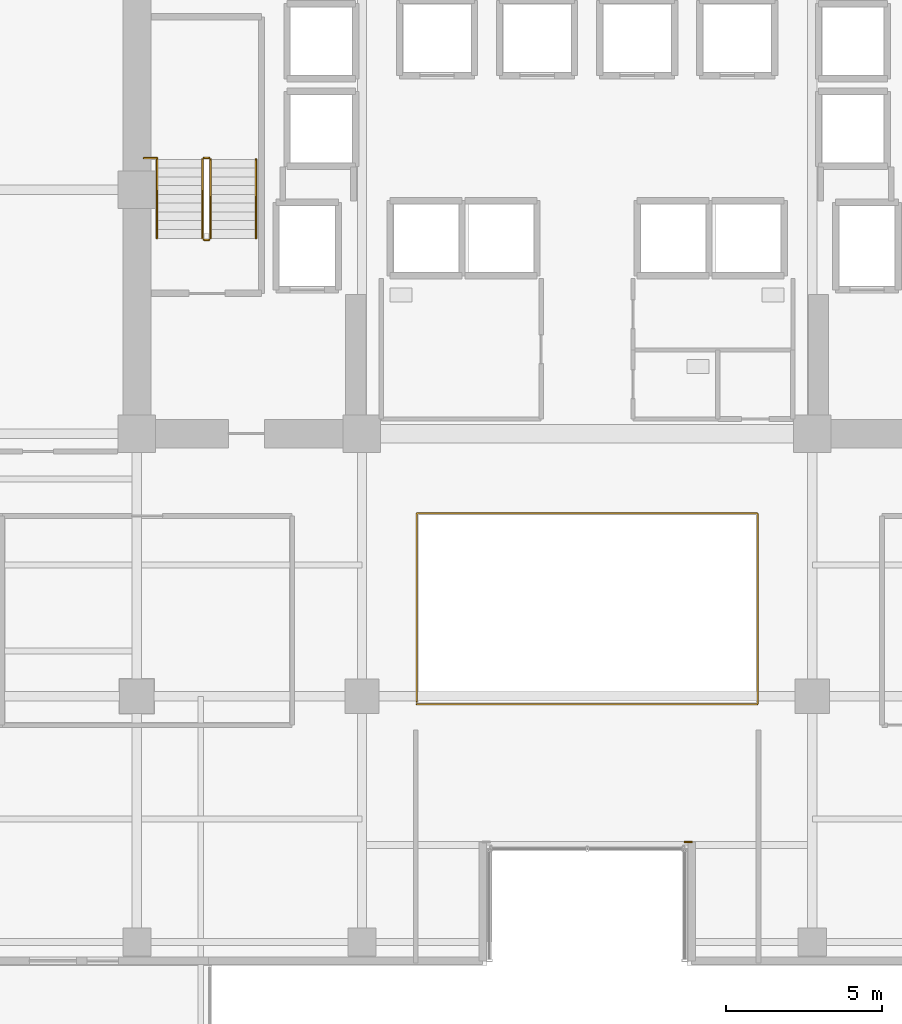
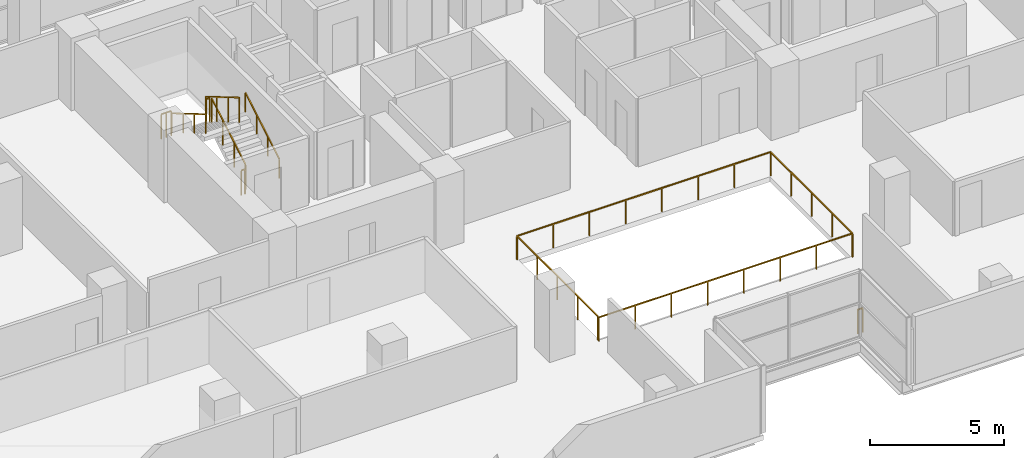
# One storey, part 28 of 30: 9 railings.
"""IFC4 building model written with IfcOpenShell, lengths in metres."""

from ifc_helpers import new_model, si_unit, direction, frame, origin, origin_2d, place, context, subcontext, project, spatial, rectangle, extrude, material, type_object, element, save


model = new_model("IFC4")

# Units and contexts
model_context = context("Model", 3, precision=1e-05, world=origin(), true_north=direction((0.0, 1.0)))
body_context = subcontext(model_context, "Body", "Model", "MODEL_VIEW")
ifc_project = project(units=[si_unit("LENGTHUNIT", "METRE"), si_unit("AREAUNIT", "SQUARE_METRE"), si_unit("VOLUMEUNIT", "CUBIC_METRE"), si_unit("PLANEANGLEUNIT", "RADIAN"), si_unit("MASSUNIT", "GRAM", prefix="KILO")], contexts=[model_context])

# Site, building, storey
site_placement = place(None, origin())
site = spatial("IfcSite", under=ifc_project, at=site_placement, CompositionType="ELEMENT")
building_placement = place(site_placement, origin())
building = spatial("IfcBuilding", under=site, at=building_placement, Name="Zarnakvel Exchange Tower", CompositionType="ELEMENT")
storey_placement = place(building_placement, frame((0.0, 0.0, 34.0)))
storey = spatial("IfcBuildingStorey", under=building, at=storey_placement, Name="L08", CompositionType="ELEMENT", Elevation=34.0)

# Railings
ifc_material_1 = material(Name="Architectural Bronze Anodised Aluminium", Category="aluminium")
railing_type_1 = type_object("IfcRailingType", Name="GR-02", PredefinedType="GUARDRAIL", material=ifc_material_1)
railing_1_placement = place(storey_placement, frame((3.340087890625, -14.260009765625, 0.0)))
element("IfcRailing", 1, at=railing_1_placement, inside=storey, type_object=railing_type_1, Name="L08 Corner Spandrel Balustrade #18", PredefinedType="GUARDRAIL", context=body_context, shape_type="SweptSolid", body=[
    extrude(rectangle(XDim=0.048095703125, YDim=0.048095703125, at=origin_2d()), frame((0.0, 0.0, 1.09619140625), z_axis=(-1.0, 0.0, 0.0), x_axis=(0.0, -1.0, 0.0)), (0.0, 0.0, 1.0), 0.219970703125),
    extrude(rectangle(XDim=0.0419921875, YDim=0.0419921875, at=origin_2d()), origin(), (0.0, 0.0, 1.0), 1.072021484375),
    extrude(rectangle(XDim=0.0419921875, YDim=0.0419921875, at=origin_2d()), frame((-0.219970703125, 0.0, 0.0)), (0.0, 0.0, 1.0), 1.072021484375),
])
railing_type_2 = type_object("IfcRailingType", Name="GR-03", PredefinedType="GUARDRAIL", material=ifc_material_1)
railing_2_placement = place(storey_placement, frame((-5.449951171875, -9.85009765625, 0.0)))
element("IfcRailing", 2, at=railing_2_placement, inside=storey, type_object=railing_type_2, Name="L08 Atrium Void Perimeter Balustrade", PredefinedType="GUARDRAIL", context=body_context, shape_type="SweptSolid", body=[
    extrude(rectangle(XDim=0.048095703125, YDim=0.048095703125, at=origin_2d()), frame((0.0, 0.0, 1.076171875), z_axis=(1.0, 0.0, 0.0), x_axis=(0.0, 1.0, 0.0)), (0.0, 0.0, 1.0), 10.89990234375),
    extrude(rectangle(XDim=0.048095703125, YDim=0.048095703125, at=origin_2d()), frame((10.89990234375, 0.0, 1.076171875), z_axis=(0.0, 1.0, 0.0), x_axis=(-1.0, 0.0, 0.0)), (0.0, 0.0, 1.0), 6.10009765625),
    extrude(rectangle(XDim=0.048095703125, YDim=0.048095703125, at=origin_2d()), frame((10.89990234375, 6.10009765625, 1.076171875), z_axis=(-1.0, 0.0, 0.0), x_axis=(0.0, -1.0, 0.0)), (0.0, 0.0, 1.0), 10.89990234375),
    extrude(rectangle(XDim=0.048095703125, YDim=0.048095703125, at=origin_2d()), frame((0.0, 6.10009765625, 1.076171875), z_axis=(0.0, -1.0, 0.0), x_axis=(1.0, 0.0, 0.0)), (0.0, 0.0, 1.0), 6.02001953125),
    extrude(rectangle(XDim=0.0419921875, YDim=0.0419921875, at=origin_2d()), origin(), (0.0, 0.0, 1.0), 1.052001953125),
    extrude(rectangle(XDim=0.0419921875, YDim=0.0419921875, at=origin_2d()), frame((1.55712890625, 0.0, 0.0)), (0.0, 0.0, 1.0), 1.052001953125),
    extrude(rectangle(XDim=0.0419921875, YDim=0.0419921875, at=origin_2d()), frame((3.1142578125, 0.0, 0.0)), (0.0, 0.0, 1.0), 1.052001953125),
    extrude(rectangle(XDim=0.0419921875, YDim=0.0419921875, at=origin_2d()), frame((4.67138671875, 0.0, 0.0)), (0.0, 0.0, 1.0), 1.052001953125),
    extrude(rectangle(XDim=0.0419921875, YDim=0.0419921875, at=origin_2d()), frame((6.228515625, 0.0, 0.0)), (0.0, 0.0, 1.0), 1.052001953125),
    extrude(rectangle(XDim=0.0419921875, YDim=0.0419921875, at=origin_2d()), frame((7.78564453125, 0.0, 0.0)), (0.0, 0.0, 1.0), 1.052001953125),
    extrude(rectangle(XDim=0.0419921875, YDim=0.0419921875, at=origin_2d()), frame((9.3427734375, 0.0, 0.0)), (0.0, 0.0, 1.0), 1.052001953125),
    extrude(rectangle(XDim=0.0419921875, YDim=0.0419921875, at=origin_2d()), frame((10.89990234375, 0.0, 0.0)), (0.0, 0.0, 1.0), 1.052001953125),
    extrude(rectangle(XDim=0.0419921875, YDim=0.0419921875, at=origin_2d()), frame((10.89990234375, 1.52490234375, 0.0)), (0.0, 0.0, 1.0), 1.052001953125),
    extrude(rectangle(XDim=0.0419921875, YDim=0.0419921875, at=origin_2d()), frame((10.89990234375, 3.050048828125, 0.0)), (0.0, 0.0, 1.0), 1.052001953125),
    extrude(rectangle(XDim=0.0419921875, YDim=0.0419921875, at=origin_2d()), frame((10.89990234375, 4.5751953125, 0.0)), (0.0, 0.0, 1.0), 1.052001953125),
    extrude(rectangle(XDim=0.0419921875, YDim=0.0419921875, at=origin_2d()), frame((10.89990234375, 6.10009765625, 0.0)), (0.0, 0.0, 1.0), 1.052001953125),
    extrude(rectangle(XDim=0.0419921875, YDim=0.0419921875, at=origin_2d()), frame((9.3427734375, 6.10009765625, 0.0)), (0.0, 0.0, 1.0), 1.052001953125),
    extrude(rectangle(XDim=0.0419921875, YDim=0.0419921875, at=origin_2d()), frame((7.78564453125, 6.10009765625, 0.0)), (0.0, 0.0, 1.0), 1.052001953125),
    extrude(rectangle(XDim=0.0419921875, YDim=0.0419921875, at=origin_2d()), frame((6.228515625, 6.10009765625, 0.0)), (0.0, 0.0, 1.0), 1.052001953125),
    extrude(rectangle(XDim=0.0419921875, YDim=0.0419921875, at=origin_2d()), frame((4.67138671875, 6.10009765625, 0.0)), (0.0, 0.0, 1.0), 1.052001953125),
    extrude(rectangle(XDim=0.0419921875, YDim=0.0419921875, at=origin_2d()), frame((3.1142578125, 6.10009765625, 0.0)), (0.0, 0.0, 1.0), 1.052001953125),
    extrude(rectangle(XDim=0.0419921875, YDim=0.0419921875, at=origin_2d()), frame((1.55712890625, 6.10009765625, 0.0)), (0.0, 0.0, 1.0), 1.052001953125),
    extrude(rectangle(XDim=0.0419921875, YDim=0.0419921875, at=origin_2d()), frame((0.0, 6.10009765625, 0.0)), (0.0, 0.0, 1.0), 1.052001953125),
    extrude(rectangle(XDim=0.0419921875, YDim=0.0419921875, at=origin_2d()), frame((0.0, 4.59521484375, 0.0)), (0.0, 0.0, 1.0), 1.052001953125),
    extrude(rectangle(XDim=0.0419921875, YDim=0.0419921875, at=origin_2d()), frame((0.0, 3.090087890625, 0.0)), (0.0, 0.0, 1.0), 1.052001953125),
    extrude(rectangle(XDim=0.0419921875, YDim=0.0419921875, at=origin_2d()), frame((0.0, 1.5849609375, 0.0)), (0.0, 0.0, 1.0), 1.052001953125),
    extrude(rectangle(XDim=0.0419921875, YDim=0.0419921875, at=origin_2d()), frame((0.0, 0.080078125, 0.0)), (0.0, 0.0, 1.0), 1.052001953125),
])
ifc_material_2 = material(Name="Brushed Stainless Steel", Category="steel")
railing_type_3 = type_object("IfcRailingType", Name="HR-01", PredefinedType="HANDRAIL", material=ifc_material_2)
railing_3_placement = place(storey_placement, frame((-10.590087890625, 5.050048828125, 0.1650390625)))
element("IfcRailing", 3, at=railing_3_placement, inside=storey, type_object=railing_type_3, Name="L08 ST-01 stair handrail 1", PredefinedType="HANDRAIL", context=body_context, shape_type="SweptSolid", body=[
    extrude(rectangle(XDim=0.048095703125, YDim=0.048095703125, at=origin_2d()), frame((0.0, 0.0, 0.8759765625), z_axis=(0.0, 0.861560626758, 0.507654692109), x_axis=(-1.0, 0.0, 0.0)), (0.0, 0.0, 1.0), 2.925048828125),
    extrude(rectangle(XDim=0.0419921875, YDim=0.0419921875, at=origin_2d()), origin(), (0.0, 0.0, 1.0), 0.851806640625),
    extrude(rectangle(XDim=0.0419921875, YDim=0.0419921875, at=origin_2d()), frame((0.0, 0.840087890625, 0.494873046875)), (0.0, 0.0, 1.0), 0.851806640625),
    extrude(rectangle(XDim=0.0419921875, YDim=0.0419921875, at=origin_2d()), frame((0.0, 1.679931640625, 0.989990234375)), (0.0, 0.0, 1.0), 0.851806640625),
    extrude(rectangle(XDim=0.0419921875, YDim=0.0419921875, at=origin_2d()), frame((0.0, 2.52001953125, 1.48486328125)), (0.0, 0.0, 1.0), 0.851806640625),
])
railing_4_placement = place(storey_placement, frame((-13.75, 7.570068359375, 1.81494140625)))
element("IfcRailing", 4, at=railing_4_placement, inside=storey, type_object=railing_type_3, Name="L08 ST-01 stair handrail 2", PredefinedType="HANDRAIL", context=body_context, shape_type="SweptSolid", body=[
    extrude(rectangle(XDim=0.048095703125, YDim=0.048095703125, at=origin_2d()), frame((0.0, 0.0, 0.8759765625), z_axis=(0.0, -0.86152411907, 0.507716645641), x_axis=(1.0, 0.0, 0.0)), (0.0, 0.0, 1.0), 2.925048828125),
    extrude(rectangle(XDim=0.0419921875, YDim=0.0419921875, at=origin_2d()), origin(), (0.0, 0.0, 1.0), 0.851806640625),
    extrude(rectangle(XDim=0.0419921875, YDim=0.0419921875, at=origin_2d()), frame((0.0, -0.840087890625, 0.4951171875)), (0.0, 0.0, 1.0), 0.851806640625),
    extrude(rectangle(XDim=0.0419921875, YDim=0.0419921875, at=origin_2d()), frame((0.0, -1.679931640625, 0.989990234375)), (0.0, 0.0, 1.0), 0.851806640625),
    extrude(rectangle(XDim=0.0419921875, YDim=0.0419921875, at=origin_2d()), frame((0.0, -2.52001953125, 1.485107421875)), (0.0, 0.0, 1.0), 0.851806640625),
])
railing_type_4 = type_object("IfcRailingType", Name="SG-01", PredefinedType="GUARDRAIL", material=ifc_material_1)
railing_5_placement = place(storey_placement, frame((-12.0400390625, 5.050048828125, 0.1650390625)))
element("IfcRailing", 5, at=railing_5_placement, inside=storey, type_object=railing_type_4, Name="L08 ST-01 stair guard 1", PredefinedType="GUARDRAIL", context=body_context, shape_type="SweptSolid", body=[
    extrude(rectangle(XDim=0.048095703125, YDim=0.048095703125, at=origin_2d()), frame((0.0, 0.0, 1.1259765625), z_axis=(0.0, 0.861560626758, 0.507654692109), x_axis=(-1.0, 0.0, 0.0)), (0.0, 0.0, 1.0), 2.925048828125),
    extrude(rectangle(XDim=0.0419921875, YDim=0.0419921875, at=origin_2d()), origin(), (0.0, 0.0, 1.0), 1.101806640625),
    extrude(rectangle(XDim=0.0419921875, YDim=0.0419921875, at=origin_2d()), frame((0.0, 0.840087890625, 0.494873046875)), (0.0, 0.0, 1.0), 1.101806640625),
    extrude(rectangle(XDim=0.0419921875, YDim=0.0419921875, at=origin_2d()), frame((0.0, 1.679931640625, 0.989990234375)), (0.0, 0.0, 1.0), 1.101806640625),
    extrude(rectangle(XDim=0.0419921875, YDim=0.0419921875, at=origin_2d()), frame((0.0, 2.52001953125, 1.48486328125)), (0.0, 0.0, 1.0), 1.101806640625),
])
railing_6_placement = place(storey_placement, frame((-12.090087890625, 7.6201171875, 1.64990234375)))
element("IfcRailing", 6, at=railing_6_placement, inside=storey, type_object=railing_type_4, Name="L08 ST-01 stair guard 2", PredefinedType="GUARDRAIL", context=body_context, shape_type="SweptSolid", body=[
    extrude(rectangle(XDim=0.048095703125, YDim=0.048095703125, at=origin_2d()), frame((0.0, 0.0, 1.1259765625), z_axis=(-1.0, 0.0, 0.0), x_axis=(0.0, -1.0, 0.0)), (0.0, 0.0, 1.0), 0.159912109375),
    extrude(rectangle(XDim=0.0419921875, YDim=0.0419921875, at=origin_2d()), origin(), (0.0, 0.0, 1.0), 1.101806640625),
    extrude(rectangle(XDim=0.0419921875, YDim=0.0419921875, at=origin_2d()), frame((-0.159912109375, 0.0, 0.0)), (0.0, 0.0, 1.0), 1.101806640625),
])
railing_7_placement = place(storey_placement, frame((-12.300048828125, 7.570068359375, 1.81494140625)))
element("IfcRailing", 7, at=railing_7_placement, inside=storey, type_object=railing_type_4, Name="L08 ST-01 stair guard 3", PredefinedType="GUARDRAIL", context=body_context, shape_type="SweptSolid", body=[
    extrude(rectangle(XDim=0.048095703125, YDim=0.048095703125, at=origin_2d()), frame((0.0, 0.0, 1.1259765625), z_axis=(0.0, -0.86152411907, 0.507716645641), x_axis=(1.0, 0.0, 0.0)), (0.0, 0.0, 1.0), 2.925048828125),
    extrude(rectangle(XDim=0.0419921875, YDim=0.0419921875, at=origin_2d()), origin(), (0.0, 0.0, 1.0), 1.101806640625),
    extrude(rectangle(XDim=0.0419921875, YDim=0.0419921875, at=origin_2d()), frame((0.0, -0.840087890625, 0.4951171875)), (0.0, 0.0, 1.0), 1.101806640625),
    extrude(rectangle(XDim=0.0419921875, YDim=0.0419921875, at=origin_2d()), frame((0.0, -1.679931640625, 0.989990234375)), (0.0, 0.0, 1.0), 1.101806640625),
    extrude(rectangle(XDim=0.0419921875, YDim=0.0419921875, at=origin_2d()), frame((0.0, -2.52001953125, 1.485107421875)), (0.0, 0.0, 1.0), 1.101806640625),
])
railing_8_placement = place(storey_placement, frame((-12.090087890625, 5.0, 0.0)))
element("IfcRailing", 8, at=railing_8_placement, inside=storey, type_object=railing_type_4, Name="L08 ST-01 stair guard 4", PredefinedType="GUARDRAIL", context=body_context, shape_type="SweptSolid", body=[
    extrude(rectangle(XDim=0.048095703125, YDim=0.048095703125, at=origin_2d()), frame((0.0, 0.0, 1.1259765625), z_axis=(-1.0, 0.0, 0.0), x_axis=(0.0, -1.0, 0.0)), (0.0, 0.0, 1.0), 0.159912109375),
    extrude(rectangle(XDim=0.0419921875, YDim=0.0419921875, at=origin_2d()), origin(), (0.0, 0.0, 1.0), 1.101806640625),
    extrude(rectangle(XDim=0.0419921875, YDim=0.0419921875, at=origin_2d()), frame((-0.159912109375, 0.0, 0.0)), (0.0, 0.0, 1.0), 1.101806640625),
])
railing_9_placement = place(storey_placement, frame((-14.179931640625, 7.610107421875, 1.64990234375)))
element("IfcRailing", 9, at=railing_9_placement, inside=storey, type_object=railing_type_4, Name="L08 ST-01 Landing Slot Guardrail", PredefinedType="GUARDRAIL", context=body_context, shape_type="SweptSolid", body=[
    extrude(rectangle(XDim=0.048095703125, YDim=0.048095703125, at=origin_2d()), frame((0.0, 0.0, 1.1259765625), z_axis=(1.0, 0.0, 0.0), x_axis=(0.0, 1.0, 0.0)), (0.0, 0.0, 1.0), 0.429931640625),
    extrude(rectangle(XDim=0.0419921875, YDim=0.0419921875, at=origin_2d()), origin(), (0.0, 0.0, 1.0), 1.101806640625),
    extrude(rectangle(XDim=0.0419921875, YDim=0.0419921875, at=origin_2d()), frame((0.21484375, 0.0, 0.0)), (0.0, 0.0, 1.0), 1.101806640625),
    extrude(rectangle(XDim=0.0419921875, YDim=0.0419921875, at=origin_2d()), frame((0.429931640625, 0.0, 0.0)), (0.0, 0.0, 1.0), 1.101806640625),
])

save(model, "model.ifc")
